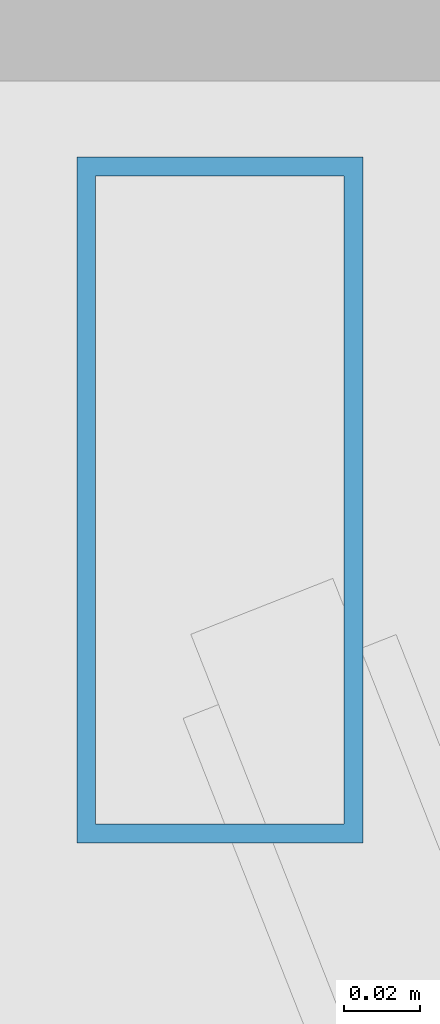
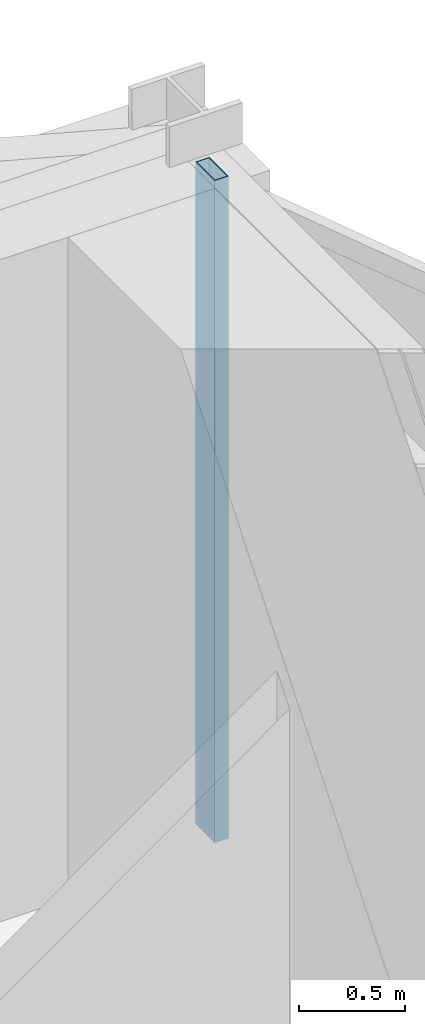
# One storey, part 17 of 25: 1 member, 1 element without a shape of its own.
"""IFC4 building model written with IfcOpenShell, lengths in metres."""

from ifc_helpers import new_model, si_unit, direction, frame, origin, origin_2d, place, context, subcontext, project, spatial, hollow_rectangle, extrude, material, layer, layer_set, material_profile, profile_set, type_object, element, aggregate, save


model = new_model("IFC4")

# Units and contexts
model_context = context("Model", 3, precision=1e-05, world=origin(), true_north=direction((0.0, 1.0)))
body_context = subcontext(model_context, "Body", "Model", "MODEL_VIEW")
ifc_project = project(units=[si_unit("LENGTHUNIT", "METRE"), si_unit("AREAUNIT", "SQUARE_METRE"), si_unit("VOLUMEUNIT", "CUBIC_METRE"), si_unit("PLANEANGLEUNIT", "RADIAN"), si_unit("MASSUNIT", "GRAM", prefix="KILO")], contexts=[model_context])

# Site, building, storey
site_placement = place(None, origin())
site = spatial("IfcSite", under=ifc_project, at=site_placement, CompositionType="ELEMENT")
building_placement = place(site_placement, origin())
building = spatial("IfcBuilding", under=site, at=building_placement, Name="Veymaron Broadcast Tower", CompositionType="ELEMENT")
storey_placement = place(building_placement, frame((0.0, 0.0, 141.14990234375)))
storey = spatial("IfcBuildingStorey", under=building, at=storey_placement, Name="L32", CompositionType="ELEMENT", Elevation=141.14990234375)

# Curtain wall, member
ifc_material_1 = material(Name="Anodised aluminium AA 6063-T6 and laminated low-E dark glass", Category="aluminium")
ifc_layer = layer(ifc_material_1, 0.179931640625)
ifc_layer_set = layer_set([ifc_layer], Name="Anodised aluminium AA 6063-T6 and laminated low-E dark glass")
curtain_wall_type = type_object("IfcCurtainWallType", Name="CW-SYS-03", PredefinedType="NOTDEFINED", material=ifc_layer_set)
curtain_wall_placement = place(storey_placement, origin())
curtain_wall = element("IfcCurtainWall", 1, at=curtain_wall_placement, inside=storey, type_object=curtain_wall_type, Name="L32 dark-glass curtain wall CW-L32-E3-1", PredefinedType="NOTDEFINED")
ifc_material_2 = material(Name="Anodised aluminium AA 6063-T6", Category="aluminium")
ifc_material_profile = material_profile(ifc_material_2, hollow_rectangle(XDim=0.074951171875, YDim=0.179931640625, WallThickness=0.0048828125, at=origin_2d()), Name="AL180X75X5")
ifc_profile_set = profile_set([ifc_material_profile], Name="Anodised aluminium AA 6063-T6")
member_type = type_object("IfcMemberType", Name="CW-MUL-02", PredefinedType="MULLION", material=ifc_profile_set)
member_placement = place(storey_placement, frame((54.569091796875, 31.696533203125, 0.0), z_axis=(0.0, 0.0, 1.0), x_axis=(1.0, 0.0, 0.0)))
member = element("IfcMember", 2, at=member_placement, type_object=member_type, Name="CW-L32-E3-1 mullion 2", PredefinedType="MULLION", context=body_context, shape_type="SweptSolid", body=[
    extrude(hollow_rectangle(XDim=0.074951171875, YDim=0.179931640625, WallThickness=0.0048828125, at=origin_2d()), origin(), (0.0, 0.0, 1.0), 3.81005859375),
])
aggregate(curtain_wall, [member])

save(model, "model.ifc")
